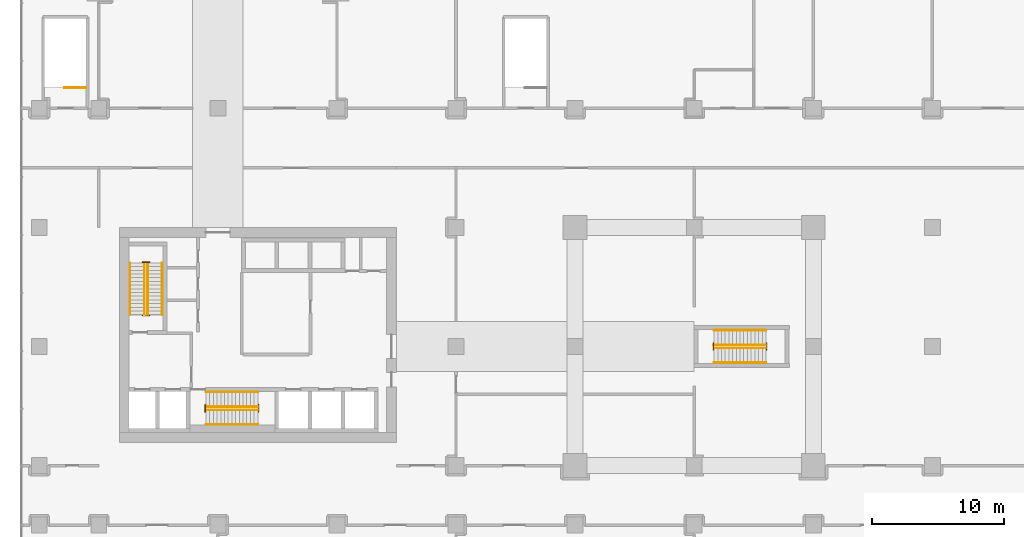
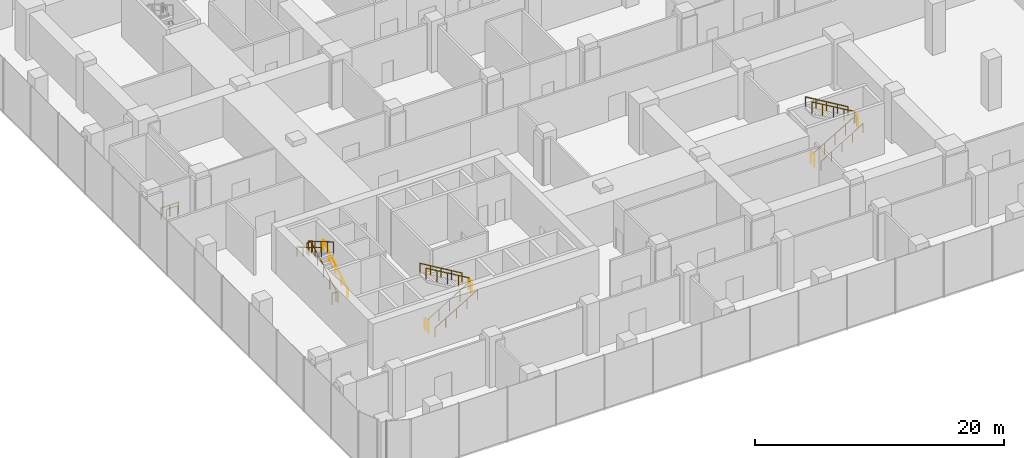
# One storey, part 34 of 36: 19 railings.
"""IFC4 building model written with IfcOpenShell, lengths in metres."""

from ifc_helpers import new_model, si_unit, direction, frame, origin, origin_2d, place, context, subcontext, project, spatial, circle, extrude, material, type_object, element, save


model = new_model("IFC4")

# Units and contexts
model_context = context("Model", 3, precision=1e-05, world=origin(), true_north=direction((0.0, 1.0)))
body_context = subcontext(model_context, "Body", "Model", "MODEL_VIEW")
ifc_project = project(units=[si_unit("LENGTHUNIT", "METRE"), si_unit("AREAUNIT", "SQUARE_METRE"), si_unit("VOLUMEUNIT", "CUBIC_METRE"), si_unit("PLANEANGLEUNIT", "RADIAN"), si_unit("MASSUNIT", "GRAM", prefix="KILO")], contexts=[model_context])

# Site, building, storey
site_placement = place(None, origin())
site = spatial("IfcSite", under=ifc_project, at=site_placement, CompositionType="ELEMENT")
building_placement = place(site_placement, origin())
building = spatial("IfcBuilding", under=site, at=building_placement, Name="Plateau Cross Towers", CompositionType="ELEMENT")
storey_placement = place(building_placement, frame((0.0, 0.0, 21.800048828125)))
storey = spatial("IfcBuildingStorey", under=building, at=storey_placement, Name="L04", CompositionType="ELEMENT", Elevation=21.800048828125)

# Railings
ifc_material_1 = material(Name="Stainless steel and toughened glass", Category="steel")
railing_type_1 = type_object("IfcRailingType", Name="RL-GUARD-1100", PredefinedType="GUARDRAIL", material=ifc_material_1)
railing_1_placement = place(storey_placement, frame((3.699951171875, 11.39990234375, 0.16650390625)))
element("IfcRailing", 1, at=railing_1_placement, inside=storey, type_object=railing_type_1, Name="L04 ST-1 stair guard 1", PredefinedType="GUARDRAIL", context=body_context, shape_type="SweptSolid", body=[
    extrude(circle(Radius=0.02392578125, at=origin_2d()), frame((0.0, 0.0, 1.076171875), z_axis=(0.0, 0.859286724212, 0.511494208758), x_axis=(-1.0, 0.0, 0.0)), (0.0, 0.0, 1.0), 4.56201171875),
    extrude(circle(Radius=0.02099609375, at=origin_2d()), origin(), (0.0, 0.0, 1.0), 1.052001953125),
    extrude(circle(Radius=0.02099609375, at=origin_2d()), frame((0.0, 0.97998046875, 0.58349609375)), (0.0, 0.0, 1.0), 1.052001953125),
    extrude(circle(Radius=0.02099609375, at=origin_2d()), frame((0.0, 1.9599609375, 1.166748046875)), (0.0, 0.0, 1.0), 1.052001953125),
    extrude(circle(Radius=0.02099609375, at=origin_2d()), frame((0.0, 2.940185546875, 1.75)), (0.0, 0.0, 1.0), 1.052001953125),
    extrude(circle(Radius=0.02099609375, at=origin_2d()), frame((0.0, 3.920166015625, 2.33349609375)), (0.0, 0.0, 1.0), 1.052001953125),
])
railing_2_placement = place(storey_placement, frame((3.85009765625, 15.3701171875, 2.5)))
element("IfcRailing", 2, at=railing_2_placement, inside=storey, type_object=railing_type_1, Name="L04 ST-1 stair guard 2", PredefinedType="GUARDRAIL", context=body_context, shape_type="SweptSolid", body=[
    extrude(circle(Radius=0.02392578125, at=origin_2d()), frame((0.0, 0.0, 1.076171875), z_axis=(-1.0, 0.0, 0.0), x_axis=(0.0, -1.0, 0.0)), (0.0, 0.0, 1.0), 0.550048828125),
    extrude(circle(Radius=0.02099609375, at=origin_2d()), origin(), (0.0, 0.0, 1.0), 1.052001953125),
    extrude(circle(Radius=0.02099609375, at=origin_2d()), frame((-0.550048828125, 0.0, 0.0)), (0.0, 0.0, 1.0), 1.052001953125),
])
railing_3_placement = place(storey_placement, frame((3.449951171875, 15.320068359375, 2.66650390625)))
element("IfcRailing", 3, at=railing_3_placement, inside=storey, type_object=railing_type_1, Name="L04 ST-1 stair guard 3", PredefinedType="GUARDRAIL", context=body_context, shape_type="SweptSolid", body=[
    extrude(circle(Radius=0.02392578125, at=origin_2d()), frame((0.0, 0.0, 1.076171875), z_axis=(0.0, -0.862103166253, 0.506732800138), x_axis=(1.0, 0.0, 0.0)), (0.0, 0.0, 1.0), 4.60498046875),
    extrude(circle(Radius=0.02099609375, at=origin_2d()), origin(), (0.0, 0.0, 1.0), 1.052001953125),
    extrude(circle(Radius=0.02099609375, at=origin_2d()), frame((0.0, -0.992431640625, 0.58349609375)), (0.0, 0.0, 1.0), 1.052001953125),
    extrude(circle(Radius=0.02099609375, at=origin_2d()), frame((0.0, -1.98486328125, 1.166748046875)), (0.0, 0.0, 1.0), 1.052001953125),
    extrude(circle(Radius=0.02099609375, at=origin_2d()), frame((0.0, -2.9775390625, 1.75)), (0.0, 0.0, 1.0), 1.052001953125),
    extrude(circle(Radius=0.02099609375, at=origin_2d()), frame((0.0, -3.969970703125, 2.33349609375)), (0.0, 0.0, 1.0), 1.052001953125),
])
railing_4_placement = place(storey_placement, frame((3.85009765625, 11.35009765625, 0.0)))
element("IfcRailing", 4, at=railing_4_placement, inside=storey, type_object=railing_type_1, Name="L04 ST-1 stair guard 4", PredefinedType="GUARDRAIL", context=body_context, shape_type="SweptSolid", body=[
    extrude(circle(Radius=0.02392578125, at=origin_2d()), frame((0.0, 0.0, 1.076171875), z_axis=(-1.0, 0.0, 0.0), x_axis=(0.0, -1.0, 0.0)), (0.0, 0.0, 1.0), 0.550048828125),
    extrude(circle(Radius=0.02099609375, at=origin_2d()), origin(), (0.0, 0.0, 1.0), 1.052001953125),
    extrude(circle(Radius=0.02099609375, at=origin_2d()), frame((-0.550048828125, 0.0, 0.0)), (0.0, 0.0, 1.0), 1.052001953125),
])
railing_5_placement = place(storey_placement, frame((8.10009765625, 4.199951171875, 0.16650390625)))
element("IfcRailing", 5, at=railing_5_placement, inside=storey, type_object=railing_type_1, Name="L04 ST-2 stair guard 1", PredefinedType="GUARDRAIL", context=body_context, shape_type="SweptSolid", body=[
    extrude(circle(Radius=0.02392578125, at=origin_2d()), frame((0.0, 0.0, 1.076171875), z_axis=(0.859272722373, 0.0, 0.511517730471), x_axis=(0.0, 1.0, 0.0)), (0.0, 0.0, 1.0), 4.56201171875),
    extrude(circle(Radius=0.02099609375, at=origin_2d()), origin(), (0.0, 0.0, 1.0), 1.052001953125),
    extrude(circle(Radius=0.02099609375, at=origin_2d()), frame((0.97998046875, 0.0, 0.58349609375)), (0.0, 0.0, 1.0), 1.052001953125),
    extrude(circle(Radius=0.02099609375, at=origin_2d()), frame((1.9599609375, 0.0, 1.166748046875)), (0.0, 0.0, 1.0), 1.052001953125),
    extrude(circle(Radius=0.02099609375, at=origin_2d()), frame((2.93994140625, 0.0, 1.75)), (0.0, 0.0, 1.0), 1.052001953125),
    extrude(circle(Radius=0.02099609375, at=origin_2d()), frame((3.919921875, 0.0, 2.33349609375)), (0.0, 0.0, 1.0), 1.052001953125),
])
railing_6_placement = place(storey_placement, frame((12.070068359375, 4.050048828125, 2.5)))
element("IfcRailing", 6, at=railing_6_placement, inside=storey, type_object=railing_type_1, Name="L04 ST-2 stair guard 2", PredefinedType="GUARDRAIL", context=body_context, shape_type="SweptSolid", body=[
    extrude(circle(Radius=0.02392578125, at=origin_2d()), frame((0.0, 0.0, 1.076171875), z_axis=(0.0, 1.0, 0.0), x_axis=(-1.0, 0.0, 0.0)), (0.0, 0.0, 1.0), 0.550048828125),
    extrude(circle(Radius=0.02099609375, at=origin_2d()), origin(), (0.0, 0.0, 1.0), 1.052001953125),
    extrude(circle(Radius=0.02099609375, at=origin_2d()), frame((0.0, 0.550048828125, 0.0)), (0.0, 0.0, 1.0), 1.052001953125),
])
railing_7_placement = place(storey_placement, frame((12.02001953125, 4.449951171875, 2.66650390625)))
element("IfcRailing", 7, at=railing_7_placement, inside=storey, type_object=railing_type_1, Name="L04 ST-2 stair guard 3", PredefinedType="GUARDRAIL", context=body_context, shape_type="SweptSolid", body=[
    extrude(circle(Radius=0.02392578125, at=origin_2d()), frame((0.0, 0.0, 1.076171875), z_axis=(-0.862103166253, 0.0, 0.506732800138), x_axis=(0.0, -1.0, 0.0)), (0.0, 0.0, 1.0), 4.60498046875),
    extrude(circle(Radius=0.02099609375, at=origin_2d()), origin(), (0.0, 0.0, 1.0), 1.052001953125),
    extrude(circle(Radius=0.02099609375, at=origin_2d()), frame((-0.992431640625, 0.0, 0.58349609375)), (0.0, 0.0, 1.0), 1.052001953125),
    extrude(circle(Radius=0.02099609375, at=origin_2d()), frame((-1.98486328125, 0.0, 1.166748046875)), (0.0, 0.0, 1.0), 1.052001953125),
    extrude(circle(Radius=0.02099609375, at=origin_2d()), frame((-2.9775390625, 0.0, 1.75)), (0.0, 0.0, 1.0), 1.052001953125),
    extrude(circle(Radius=0.02099609375, at=origin_2d()), frame((-3.969970703125, 0.0, 2.33349609375)), (0.0, 0.0, 1.0), 1.052001953125),
])
railing_8_placement = place(storey_placement, frame((8.050048828125, 4.050048828125, 0.0)))
element("IfcRailing", 8, at=railing_8_placement, inside=storey, type_object=railing_type_1, Name="L04 ST-2 stair guard 4", PredefinedType="GUARDRAIL", context=body_context, shape_type="SweptSolid", body=[
    extrude(circle(Radius=0.02392578125, at=origin_2d()), frame((0.0, 0.0, 1.076171875), z_axis=(0.0, 1.0, 0.0), x_axis=(-1.0, 0.0, 0.0)), (0.0, 0.0, 1.0), 0.550048828125),
    extrude(circle(Radius=0.02099609375, at=origin_2d()), origin(), (0.0, 0.0, 1.0), 1.052001953125),
    extrude(circle(Radius=0.02099609375, at=origin_2d()), frame((0.0, 0.550048828125, 0.0)), (0.0, 0.0, 1.0), 1.052001953125),
])
railing_9_placement = place(storey_placement, frame((46.5, 8.875, 0.16650390625)))
element("IfcRailing", 9, at=railing_9_placement, inside=storey, type_object=railing_type_1, Name="L04 ES-E stair guard 1", PredefinedType="GUARDRAIL", context=body_context, shape_type="SweptSolid", body=[
    extrude(circle(Radius=0.02392578125, at=origin_2d()), frame((0.0, 0.0, 1.076171875), z_axis=(0.859272722373, 0.0, 0.511517730471), x_axis=(0.0, 1.0, 0.0)), (0.0, 0.0, 1.0), 4.56201171875),
    extrude(circle(Radius=0.02099609375, at=origin_2d()), origin(), (0.0, 0.0, 1.0), 1.052001953125),
    extrude(circle(Radius=0.02099609375, at=origin_2d()), frame((0.97998046875, 0.0, 0.58349609375)), (0.0, 0.0, 1.0), 1.052001953125),
    extrude(circle(Radius=0.02099609375, at=origin_2d()), frame((1.9599609375, 0.0, 1.166748046875)), (0.0, 0.0, 1.0), 1.052001953125),
    extrude(circle(Radius=0.02099609375, at=origin_2d()), frame((2.93994140625, 0.0, 1.75)), (0.0, 0.0, 1.0), 1.052001953125),
    extrude(circle(Radius=0.02099609375, at=origin_2d()), frame((3.919921875, 0.0, 2.33349609375)), (0.0, 0.0, 1.0), 1.052001953125),
])
railing_10_placement = place(storey_placement, frame((50.469970703125, 8.72509765625, 2.5)))
element("IfcRailing", 10, at=railing_10_placement, inside=storey, type_object=railing_type_1, Name="L04 ES-E stair guard 2", PredefinedType="GUARDRAIL", context=body_context, shape_type="SweptSolid", body=[
    extrude(circle(Radius=0.02392578125, at=origin_2d()), frame((0.0, 0.0, 1.076171875), z_axis=(0.0, 1.0, 0.0), x_axis=(-1.0, 0.0, 0.0)), (0.0, 0.0, 1.0), 0.5498046875),
    extrude(circle(Radius=0.02099609375, at=origin_2d()), origin(), (0.0, 0.0, 1.0), 1.052001953125),
    extrude(circle(Radius=0.02099609375, at=origin_2d()), frame((0.0, 0.5498046875, 0.0)), (0.0, 0.0, 1.0), 1.052001953125),
])
railing_11_placement = place(storey_placement, frame((50.419921875, 9.125, 2.66650390625)))
element("IfcRailing", 11, at=railing_11_placement, inside=storey, type_object=railing_type_1, Name="L04 ES-E stair guard 3", PredefinedType="GUARDRAIL", context=body_context, shape_type="SweptSolid", body=[
    extrude(circle(Radius=0.02392578125, at=origin_2d()), frame((0.0, 0.0, 1.076171875), z_axis=(-0.862103166253, 0.0, 0.506732800138), x_axis=(0.0, -1.0, 0.0)), (0.0, 0.0, 1.0), 4.60498046875),
    extrude(circle(Radius=0.02099609375, at=origin_2d()), origin(), (0.0, 0.0, 1.0), 1.052001953125),
    extrude(circle(Radius=0.02099609375, at=origin_2d()), frame((-0.992431640625, 0.0, 0.58349609375)), (0.0, 0.0, 1.0), 1.052001953125),
    extrude(circle(Radius=0.02099609375, at=origin_2d()), frame((-1.98486328125, 0.0, 1.166748046875)), (0.0, 0.0, 1.0), 1.052001953125),
    extrude(circle(Radius=0.02099609375, at=origin_2d()), frame((-2.9775390625, 0.0, 1.75)), (0.0, 0.0, 1.0), 1.052001953125),
    extrude(circle(Radius=0.02099609375, at=origin_2d()), frame((-3.969970703125, 0.0, 2.33349609375)), (0.0, 0.0, 1.0), 1.052001953125),
])
railing_12_placement = place(storey_placement, frame((46.449951171875, 8.72509765625, 0.0)))
element("IfcRailing", 12, at=railing_12_placement, inside=storey, type_object=railing_type_1, Name="L04 ES-E stair guard 4", PredefinedType="GUARDRAIL", context=body_context, shape_type="SweptSolid", body=[
    extrude(circle(Radius=0.02392578125, at=origin_2d()), frame((0.0, 0.0, 1.076171875), z_axis=(0.0, 1.0, 0.0), x_axis=(-1.0, 0.0, 0.0)), (0.0, 0.0, 1.0), 0.5498046875),
    extrude(circle(Radius=0.02099609375, at=origin_2d()), origin(), (0.0, 0.0, 1.0), 1.052001953125),
    extrude(circle(Radius=0.02099609375, at=origin_2d()), frame((0.0, 0.5498046875, 0.0)), (0.0, 0.0, 1.0), 1.052001953125),
])
railing_13_placement = place(storey_placement, frame((-0.949951171875, 28.550048828125, 0.0)))
element("IfcRailing", 13, at=railing_13_placement, inside=storey, type_object=railing_type_1, Name="L04 PS4 top well guard 1", PredefinedType="GUARDRAIL", context=body_context, shape_type="SweptSolid", body=[
    extrude(circle(Radius=0.02392578125, at=origin_2d()), frame((0.0, 0.0, 1.076171875), z_axis=(-1.0, 0.0, 0.0), x_axis=(0.0, -1.0, 0.0)), (0.0, 0.0, 1.0), 1.650146484375),
    extrude(circle(Radius=0.02099609375, at=origin_2d()), origin(), (0.0, 0.0, 1.0), 1.052001953125),
    extrude(circle(Radius=0.02099609375, at=origin_2d()), frame((-0.8251953125, 0.0, 0.0)), (0.0, 0.0, 1.0), 1.052001953125),
    extrude(circle(Radius=0.02099609375, at=origin_2d()), frame((-1.650146484375, 0.0, 0.0)), (0.0, 0.0, 1.0), 1.052001953125),
])
ifc_material_2 = material(Name="Black anodised aluminium", Category="aluminium")
railing_type_2 = type_object("IfcRailingType", Name="RL-HANDRAIL-900", PredefinedType="HANDRAIL", material=ifc_material_2)
railing_14_placement = place(storey_placement, frame((4.800048828125, 11.39990234375, 0.16650390625)))
element("IfcRailing", 14, at=railing_14_placement, inside=storey, type_object=railing_type_2, Name="L04 ST-1 stair handrail 1", PredefinedType="HANDRAIL", context=body_context, shape_type="SweptSolid", body=[
    extrude(circle(Radius=0.02392578125, at=origin_2d()), frame((0.0, 0.0, 0.8759765625), z_axis=(0.0, 0.859286724212, 0.511494208758), x_axis=(-1.0, 0.0, 0.0)), (0.0, 0.0, 1.0), 4.56201171875),
    extrude(circle(Radius=0.02099609375, at=origin_2d()), origin(), (0.0, 0.0, 1.0), 0.851806640625),
    extrude(circle(Radius=0.02099609375, at=origin_2d()), frame((0.0, 0.97998046875, 0.58349609375)), (0.0, 0.0, 1.0), 0.851806640625),
    extrude(circle(Radius=0.02099609375, at=origin_2d()), frame((0.0, 1.9599609375, 1.166748046875)), (0.0, 0.0, 1.0), 0.851806640625),
    extrude(circle(Radius=0.02099609375, at=origin_2d()), frame((0.0, 2.940185546875, 1.75)), (0.0, 0.0, 1.0), 0.851806640625),
    extrude(circle(Radius=0.02099609375, at=origin_2d()), frame((0.0, 3.920166015625, 2.33349609375)), (0.0, 0.0, 1.0), 0.851806640625),
])
railing_15_placement = place(storey_placement, frame((2.35009765625, 15.320068359375, 2.66650390625)))
element("IfcRailing", 15, at=railing_15_placement, inside=storey, type_object=railing_type_2, Name="L04 ST-1 stair handrail 2", PredefinedType="HANDRAIL", context=body_context, shape_type="SweptSolid", body=[
    extrude(circle(Radius=0.02392578125, at=origin_2d()), frame((0.0, 0.0, 0.8759765625), z_axis=(0.0, -0.859286724212, 0.511494208758), x_axis=(1.0, 0.0, 0.0)), (0.0, 0.0, 1.0), 4.56201171875),
    extrude(circle(Radius=0.02099609375, at=origin_2d()), origin(), (0.0, 0.0, 1.0), 0.851806640625),
    extrude(circle(Radius=0.02099609375, at=origin_2d()), frame((0.0, -0.97998046875, 0.58349609375)), (0.0, 0.0, 1.0), 0.851806640625),
    extrude(circle(Radius=0.02099609375, at=origin_2d()), frame((0.0, -1.9599609375, 1.166748046875)), (0.0, 0.0, 1.0), 0.851806640625),
    extrude(circle(Radius=0.02099609375, at=origin_2d()), frame((0.0, -2.940185546875, 1.75)), (0.0, 0.0, 1.0), 0.851806640625),
    extrude(circle(Radius=0.02099609375, at=origin_2d()), frame((0.0, -3.920166015625, 2.33349609375)), (0.0, 0.0, 1.0), 0.851806640625),
])
railing_16_placement = place(storey_placement, frame((8.10009765625, 3.10009765625, 0.16650390625)))
element("IfcRailing", 16, at=railing_16_placement, inside=storey, type_object=railing_type_2, Name="L04 ST-2 stair handrail 1", PredefinedType="HANDRAIL", context=body_context, shape_type="SweptSolid", body=[
    extrude(circle(Radius=0.02392578125, at=origin_2d()), frame((0.0, 0.0, 0.8759765625), z_axis=(0.859272722373, 0.0, 0.511517730471), x_axis=(0.0, 1.0, 0.0)), (0.0, 0.0, 1.0), 4.56201171875),
    extrude(circle(Radius=0.02099609375, at=origin_2d()), origin(), (0.0, 0.0, 1.0), 0.851806640625),
    extrude(circle(Radius=0.02099609375, at=origin_2d()), frame((0.97998046875, 0.0, 0.58349609375)), (0.0, 0.0, 1.0), 0.851806640625),
    extrude(circle(Radius=0.02099609375, at=origin_2d()), frame((1.9599609375, 0.0, 1.166748046875)), (0.0, 0.0, 1.0), 0.851806640625),
    extrude(circle(Radius=0.02099609375, at=origin_2d()), frame((2.93994140625, 0.0, 1.75)), (0.0, 0.0, 1.0), 0.851806640625),
    extrude(circle(Radius=0.02099609375, at=origin_2d()), frame((3.919921875, 0.0, 2.33349609375)), (0.0, 0.0, 1.0), 0.851806640625),
])
railing_17_placement = place(storey_placement, frame((12.02001953125, 5.550048828125, 2.66650390625)))
element("IfcRailing", 17, at=railing_17_placement, inside=storey, type_object=railing_type_2, Name="L04 ST-2 stair handrail 2", PredefinedType="HANDRAIL", context=body_context, shape_type="SweptSolid", body=[
    extrude(circle(Radius=0.02392578125, at=origin_2d()), frame((0.0, 0.0, 0.8759765625), z_axis=(-0.859272722373, 0.0, 0.511517730471), x_axis=(0.0, -1.0, 0.0)), (0.0, 0.0, 1.0), 4.56201171875),
    extrude(circle(Radius=0.02099609375, at=origin_2d()), origin(), (0.0, 0.0, 1.0), 0.851806640625),
    extrude(circle(Radius=0.02099609375, at=origin_2d()), frame((-0.97998046875, 0.0, 0.58349609375)), (0.0, 0.0, 1.0), 0.851806640625),
    extrude(circle(Radius=0.02099609375, at=origin_2d()), frame((-1.9599609375, 0.0, 1.166748046875)), (0.0, 0.0, 1.0), 0.851806640625),
    extrude(circle(Radius=0.02099609375, at=origin_2d()), frame((-2.93994140625, 0.0, 1.75)), (0.0, 0.0, 1.0), 0.851806640625),
    extrude(circle(Radius=0.02099609375, at=origin_2d()), frame((-3.919921875, 0.0, 2.33349609375)), (0.0, 0.0, 1.0), 0.851806640625),
])
railing_18_placement = place(storey_placement, frame((46.5, 7.77490234375, 0.16650390625)))
element("IfcRailing", 18, at=railing_18_placement, inside=storey, type_object=railing_type_2, Name="L04 ES-E stair handrail 1", PredefinedType="HANDRAIL", context=body_context, shape_type="SweptSolid", body=[
    extrude(circle(Radius=0.02392578125, at=origin_2d()), frame((0.0, 0.0, 0.8759765625), z_axis=(0.859272722373, 0.0, 0.511517730471), x_axis=(0.0, 1.0, 0.0)), (0.0, 0.0, 1.0), 4.56201171875),
    extrude(circle(Radius=0.02099609375, at=origin_2d()), origin(), (0.0, 0.0, 1.0), 0.851806640625),
    extrude(circle(Radius=0.02099609375, at=origin_2d()), frame((0.97998046875, 0.0, 0.58349609375)), (0.0, 0.0, 1.0), 0.851806640625),
    extrude(circle(Radius=0.02099609375, at=origin_2d()), frame((1.9599609375, 0.0, 1.166748046875)), (0.0, 0.0, 1.0), 0.851806640625),
    extrude(circle(Radius=0.02099609375, at=origin_2d()), frame((2.93994140625, 0.0, 1.75)), (0.0, 0.0, 1.0), 0.851806640625),
    extrude(circle(Radius=0.02099609375, at=origin_2d()), frame((3.919921875, 0.0, 2.33349609375)), (0.0, 0.0, 1.0), 0.851806640625),
])
railing_19_placement = place(storey_placement, frame((50.419921875, 10.22509765625, 2.66650390625)))
element("IfcRailing", 19, at=railing_19_placement, inside=storey, type_object=railing_type_2, Name="L04 ES-E stair handrail 2", PredefinedType="HANDRAIL", context=body_context, shape_type="SweptSolid", body=[
    extrude(circle(Radius=0.02392578125, at=origin_2d()), frame((0.0, 0.0, 0.8759765625), z_axis=(-0.859272722373, 0.0, 0.511517730471), x_axis=(0.0, -1.0, 0.0)), (0.0, 0.0, 1.0), 4.56201171875),
    extrude(circle(Radius=0.02099609375, at=origin_2d()), origin(), (0.0, 0.0, 1.0), 0.851806640625),
    extrude(circle(Radius=0.02099609375, at=origin_2d()), frame((-0.97998046875, 0.0, 0.58349609375)), (0.0, 0.0, 1.0), 0.851806640625),
    extrude(circle(Radius=0.02099609375, at=origin_2d()), frame((-1.9599609375, 0.0, 1.166748046875)), (0.0, 0.0, 1.0), 0.851806640625),
    extrude(circle(Radius=0.02099609375, at=origin_2d()), frame((-2.93994140625, 0.0, 1.75)), (0.0, 0.0, 1.0), 0.851806640625),
    extrude(circle(Radius=0.02099609375, at=origin_2d()), frame((-3.919921875, 0.0, 2.33349609375)), (0.0, 0.0, 1.0), 0.851806640625),
])

save(model, "model.ifc")
